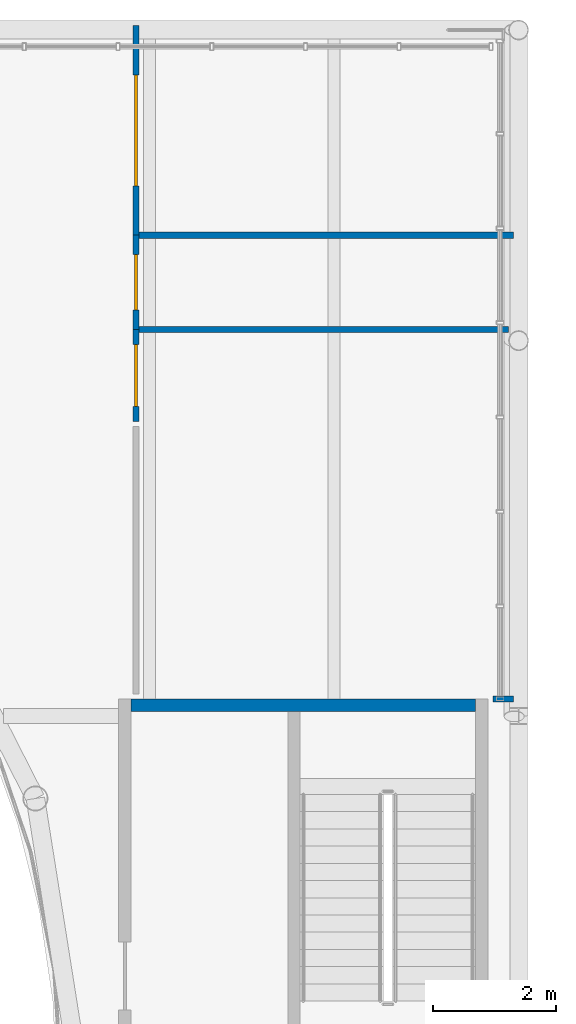
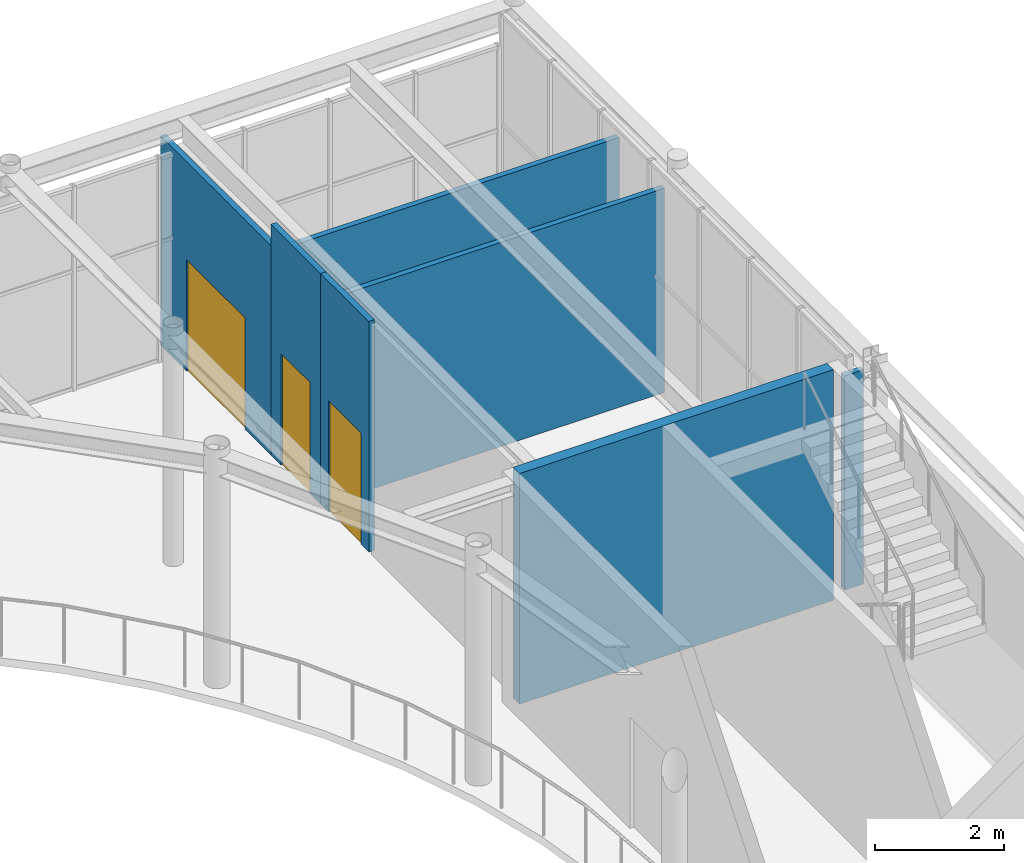
# One storey, part 55 of 70: 7 walls, 3 doors, 3 openings.
"""IFC4 building model written with IfcOpenShell, lengths in metres."""

from ifc_helpers import new_model, si_unit, direction, frame, frame_2d, origin, place, context, subcontext, project, spatial, rectangle, extrude, material, layer, layer_set, type_object, element, fill, save


model = new_model("IFC4")

# Units and contexts
model_context = context("Model", 3, precision=1e-05, world=origin(), true_north=direction((0.0, 1.0)))
body_context = subcontext(model_context, "Body", "Model", "MODEL_VIEW")
ifc_project = project(units=[si_unit("LENGTHUNIT", "METRE"), si_unit("AREAUNIT", "SQUARE_METRE"), si_unit("VOLUMEUNIT", "CUBIC_METRE"), si_unit("PLANEANGLEUNIT", "RADIAN"), si_unit("MASSUNIT", "GRAM", prefix="KILO")], contexts=[model_context])

# Site, building, storey
site_placement = place(None, origin())
site = spatial("IfcSite", under=ifc_project, at=site_placement, CompositionType="ELEMENT")
building_placement = place(site_placement, origin())
building = spatial("IfcBuilding", under=site, at=building_placement, Name="Kallimachos Central Library", CompositionType="ELEMENT")
storey_placement = place(building_placement, frame((0.0, 0.0, 18.89990234375)))
storey = spatial("IfcBuildingStorey", under=building, at=storey_placement, Name="L04", CompositionType="ELEMENT", Elevation=18.89990234375)

# Walls
ifc_material_1 = material(Name="Concrete C30/37", Category="concrete")
ifc_layer_1 = layer(ifc_material_1, 0.199951171875)
ifc_layer_set_1 = layer_set([ifc_layer_1], Name="Core wall 200")
wall_type_1 = type_object("IfcWallType", Name="Core wall 200", PredefinedType="SOLIDWALL", material=ifc_layer_set_1)
wall_1_placement = place(storey_placement, frame((104.199951171875, 110.675048828125, 0.0), z_axis=(0.0, 0.0, 1.0), x_axis=(1.0, 0.0, 0.0)))
element("IfcWall", 1, at=wall_1_placement, inside=storey, type_object=wall_type_1, Name="Core wall V1-NE N", PredefinedType="SOLIDWALL", context=body_context, shape_type="SweptSolid", body=[
    extrude(rectangle(XDim=5.60009765625, YDim=0.199951171875, at=frame_2d((2.800048828125, 0.0))), origin(), (0.0, 0.0, 1.0), 4.35009765625),
])
ifc_material_2 = material(Name="Plasterboard on steel studs", Category="steel")
ifc_layer_2 = layer(ifc_material_2, 0.10009765625)
ifc_layer_set_2 = layer_set([ifc_layer_2], Name="Partition 100")
wall_type_2 = type_object("IfcWallType", Name="Partition 100", PredefinedType="PARTITIONING", material=ifc_layer_set_2)
wall_2_placement = place(storey_placement, frame((110.419921875, 110.77490234375, 0.0), z_axis=(0.0, 0.0, 1.0), x_axis=(-1.0, 0.0, 0.0)))
element("IfcWall", 2, at=wall_2_placement, inside=storey, type_object=wall_type_2, Name="Partition", PredefinedType="PARTITIONING", context=body_context, shape_type="SweptSolid", body=[
    extrude(rectangle(XDim=0.33984375, YDim=0.10009765625, at=frame_2d((0.169921875, 0.0))), origin(), (0.0, 0.0, 1.0), 4.0400390625),
])

# Wall, opening, door
wall_3_placement = place(storey_placement, frame((104.280029296875, 115.287353515625, 0.0), z_axis=(0.0, 0.0, 1.0), x_axis=(0.0, 1.0, 0.0)))
wall_3 = element("IfcWall", 3, at=wall_3_placement, inside=storey, type_object=wall_type_2, Name="Partition", PredefinedType="PARTITIONING", context=body_context, shape_type="SweptSolid", body=[
    extrude(rectangle(XDim=1.4931640625, YDim=0.10009765625, at=frame_2d((0.74658203125, 0.0))), origin(), (0.0, 0.0, 1.0), 4.35009765625),
])
opening_1_placement = place(wall_3_placement, frame((0.24658203125, 0.0, 0.0)))
opening_1 = element("IfcOpeningElement", 4, at=opening_1_placement, cuts=wall_3, Name="Opening D285", PredefinedType="OPENING", context=body_context, shape_type="SweptSolid", body=[
    extrude(rectangle(XDim=1.0, YDim=2.10009765625, at=frame_2d((0.5, 1.050048828125))), frame((0.0, 0.06005859375, 0.0), z_axis=(0.0, -1.0, 0.0), x_axis=(1.0, 0.0, 0.0)), (0.0, 0.0, 1.0), 0.1201171875),
])
ifc_material_3 = material(Name="Oak veneered door leaf")
door_type_1 = type_object("IfcDoorType", Name="Single leaf door EI2 30 1000 x 2100", OperationType="NOTDEFINED", PredefinedType="DOOR", material=ifc_material_3)
door_1_placement = place(opening_1_placement, frame((1.0, 0.0, 0.0), z_axis=(0.0, 0.0, 1.0), x_axis=(-1.0, 0.0, 0.0)))
door_1 = element("IfcDoor", 5, at=door_1_placement, inside=storey, type_object=door_type_1, Name="V1-DOR-L04-015", OperationType="SINGLE_SWING_RIGHT", OverallHeight=2.10009765625, OverallWidth=1.0, PredefinedType="DOOR", context=body_context, shape_type="SweptSolid", body=[
    extrude(rectangle(XDim=1.0, YDim=2.10009765625, at=frame_2d((0.5, 1.050048828125))), frame((0.0, 0.02490234375, 0.0), z_axis=(0.0, -1.0, 0.0), x_axis=(1.0, 0.0, 0.0)), (0.0, 0.0, 1.0), 0.050048828125),
])
fill(opening_1, door_1)

# Wall
wall_4_placement = place(storey_placement, frame((104.330078125, 116.780517578125, 0.0), z_axis=(0.0, 0.0, 1.0), x_axis=(1.0, 0.0, 0.0)))
element("IfcWall", 6, at=wall_4_placement, inside=storey, type_object=wall_type_2, Name="Partition", PredefinedType="PARTITIONING", context=body_context, shape_type="SweptSolid", body=[
    extrude(rectangle(XDim=6.008056640625, YDim=0.10009765625, at=frame_2d((3.00390625, 0.0))), origin(), (0.0, 0.0, 1.0), 3.85009765625),
])

# Wall, opening, door
wall_5_placement = place(storey_placement, frame((104.280029296875, 116.780517578125, 0.0), z_axis=(0.0, 0.0, 1.0), x_axis=(0.0, 1.0, 0.0)))
wall_5 = element("IfcWall", 7, at=wall_5_placement, inside=storey, type_object=wall_type_2, Name="Partition", PredefinedType="PARTITIONING", context=body_context, shape_type="SweptSolid", body=[
    extrude(rectangle(XDim=1.533203125, YDim=0.10009765625, at=frame_2d((0.7666015625, 0.0))), origin(), (0.0, 0.0, 1.0), 4.35009765625),
])
opening_2_placement = place(wall_5_placement, frame((0.316650390625, 0.0, 0.0)))
opening_2 = element("IfcOpeningElement", 8, at=opening_2_placement, cuts=wall_5, Name="Opening D286", PredefinedType="OPENING", context=body_context, shape_type="SweptSolid", body=[
    extrude(rectangle(XDim=0.89990234375, YDim=2.10009765625, at=frame_2d((0.449951171875, 1.050048828125))), frame((0.0, 0.06005859375, 0.0), z_axis=(0.0, -1.0, 0.0), x_axis=(1.0, 0.0, 0.0)), (0.0, 0.0, 1.0), 0.1201171875),
])
ifc_material_4 = material(Name="Oak veneered door leaf")
door_type_2 = type_object("IfcDoorType", Name="Accessible WC door EI2 30 900 x 2100", OperationType="NOTDEFINED", PredefinedType="DOOR", material=ifc_material_4)
door_2_placement = place(opening_2_placement, frame((0.89990234375, 0.0, 0.0), z_axis=(0.0, 0.0, 1.0), x_axis=(-1.0, 0.0, 0.0)))
door_2 = element("IfcDoor", 9, at=door_2_placement, inside=storey, type_object=door_type_2, Name="V1-DOR-L04-016", OperationType="SINGLE_SWING_LEFT", OverallHeight=2.10009765625, OverallWidth=0.89990234375, PredefinedType="DOOR", context=body_context, shape_type="SweptSolid", body=[
    extrude(rectangle(XDim=0.89990234375, YDim=2.10009765625, at=frame_2d((0.449951171875, 1.050048828125))), frame((0.0, 0.02490234375, 0.0), z_axis=(0.0, -1.0, 0.0), x_axis=(1.0, 0.0, 0.0)), (0.0, 0.0, 1.0), 0.050048828125),
])
fill(opening_2, door_2)

# Wall
wall_6_placement = place(storey_placement, frame((104.330078125, 118.313720703125, 0.0), z_axis=(0.0, 0.0, 1.0), x_axis=(1.0, 0.0, 0.0)))
element("IfcWall", 10, at=wall_6_placement, inside=storey, type_object=wall_type_2, Name="Partition", PredefinedType="PARTITIONING", context=body_context, shape_type="SweptSolid", body=[
    extrude(rectangle(XDim=6.08984375, YDim=0.10009765625, at=frame_2d((3.044921875, 0.0))), origin(), (0.0, 0.0, 1.0), 3.85009765625),
])

# Wall, opening, door
wall_7_placement = place(storey_placement, frame((104.280029296875, 118.313720703125, 0.0), z_axis=(0.0, 0.0, 1.0), x_axis=(0.0, 1.0, 0.0)))
wall_7 = element("IfcWall", 11, at=wall_7_placement, inside=storey, type_object=wall_type_2, Name="Partition", PredefinedType="PARTITIONING", context=body_context, shape_type="SweptSolid", body=[
    extrude(rectangle(XDim=3.40625, YDim=0.10009765625, at=frame_2d((1.703125, 0.0))), origin(), (0.0, 0.0, 1.0), 3.9501953125),
])
opening_3_placement = place(wall_7_placement, frame((0.80322265625, 0.0, 0.0)))
opening_3 = element("IfcOpeningElement", 12, at=opening_3_placement, cuts=wall_7, Name="Opening D287", PredefinedType="OPENING", context=body_context, shape_type="SweptSolid", body=[
    extrude(rectangle(XDim=1.800048828125, YDim=2.10009765625, at=frame_2d((0.89990234375, 1.050048828125))), frame((0.0, 0.06005859375, 0.0), z_axis=(0.0, -1.0, 0.0), x_axis=(1.0, 0.0, 0.0)), (0.0, 0.0, 1.0), 0.1201171875),
])
ifc_material_5 = material(Name="Oak veneered door leaf")
door_type_3 = type_object("IfcDoorType", Name="Double leaf door EI2 30 1800 x 2100", OperationType="DOUBLE_DOOR_SINGLE_SWING", PredefinedType="DOOR", material=ifc_material_5)
door_3_placement = place(opening_3_placement, origin())
door_3 = element("IfcDoor", 13, at=door_3_placement, inside=storey, type_object=door_type_3, Name="V1-DOR-L04-017", OperationType="DOUBLE_DOOR_SINGLE_SWING", OverallHeight=2.10009765625, OverallWidth=1.800048828125, PredefinedType="DOOR", context=body_context, shape_type="SweptSolid", body=[
    extrude(rectangle(XDim=1.800048828125, YDim=2.10009765625, at=frame_2d((0.89990234375, 1.050048828125))), frame((0.0, 0.02490234375, 0.0), z_axis=(0.0, -1.0, 0.0), x_axis=(1.0, 0.0, 0.0)), (0.0, 0.0, 1.0), 0.050048828125),
])
fill(opening_3, door_3)

save(model, "model.ifc")
